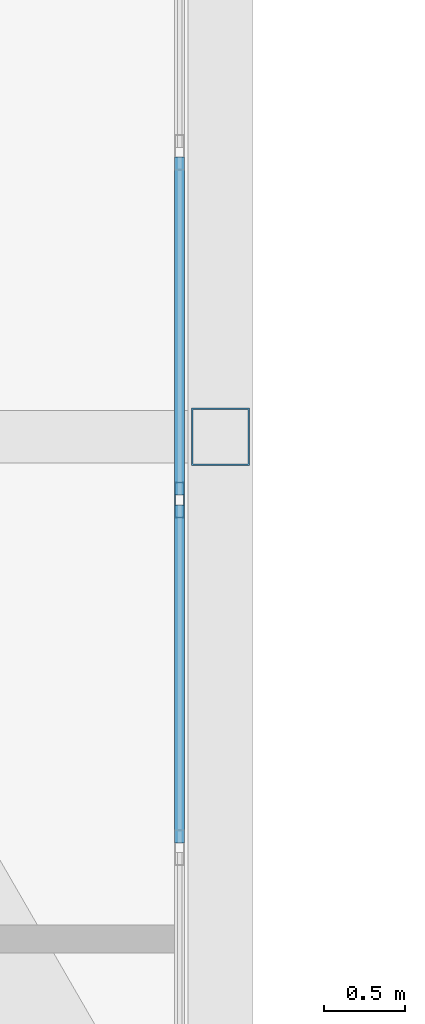
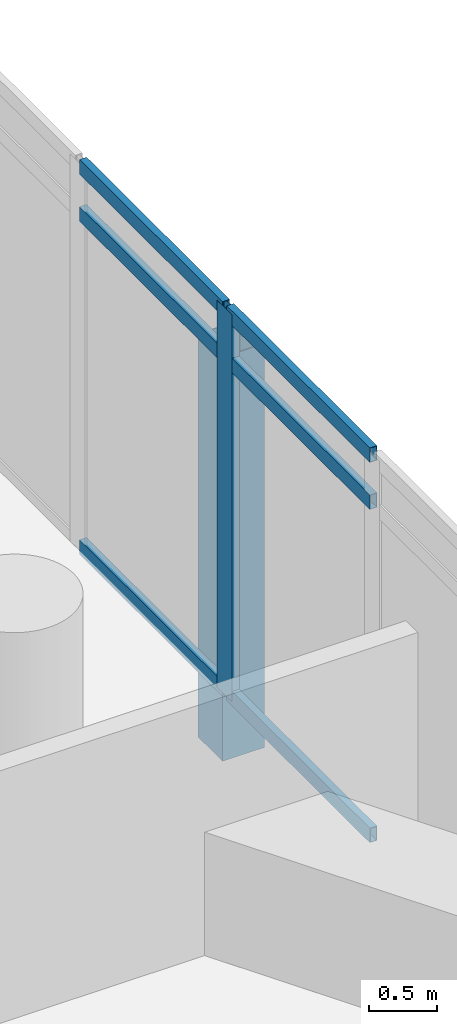
# One storey, part 26 of 38: 8 members, 1 element without a shape of its own.
"""IFC4 building model written with IfcOpenShell, lengths in metres."""

from ifc_helpers import new_model, si_unit, direction, frame, origin, origin_2d, place, context, subcontext, project, spatial, hollow_rectangle, extrude, material, material_profile, profile_set, type_object, element, aggregate, save


model = new_model("IFC4")

# Units and contexts
model_context = context("Model", 3, precision=1e-05, world=origin(), true_north=direction((0.0, 1.0)))
body_context = subcontext(model_context, "Body", "Model", "MODEL_VIEW")
ifc_project = project(units=[si_unit("LENGTHUNIT", "METRE"), si_unit("AREAUNIT", "SQUARE_METRE"), si_unit("VOLUMEUNIT", "CUBIC_METRE"), si_unit("PLANEANGLEUNIT", "RADIAN"), si_unit("MASSUNIT", "GRAM", prefix="KILO")], contexts=[model_context])

# Site, building, storey
site_placement = place(None, origin())
site = spatial("IfcSite", under=ifc_project, at=site_placement, CompositionType="ELEMENT")
building_placement = place(site_placement, origin())
building = spatial("IfcBuilding", under=site, at=building_placement, Name="Ostrander Bayou Hotel Tower", CompositionType="ELEMENT")
storey_placement = place(building_placement, frame((0.0, 0.0, 194.5)))
storey = spatial("IfcBuildingStorey", under=building, at=storey_placement, Name="L48", CompositionType="ELEMENT", Elevation=194.5)

# Curtain wall, members
ifc_material_1 = material(Name="Aluminium and clear glass", Category="aluminium")
curtain_wall_type = type_object("IfcCurtainWallType", Name="CW-BAR glazed wall", PredefinedType="NOTDEFINED", material=ifc_material_1)
curtain_wall_placement = place(storey_placement, origin())
curtain_wall = element("IfcCurtainWall", 1, at=curtain_wall_placement, inside=storey, type_object=curtain_wall_type, Name="CW-BAR L48:SB4N:W", PredefinedType="NOTDEFINED")
ifc_material_2 = material(Name="Aluminium", Category="aluminium")
ifc_material_profile_1 = material_profile(ifc_material_2, hollow_rectangle(XDim=0.06005859375, YDim=0.219970703125, WallThickness=0.00390625, at=origin_2d()))
ifc_profile_set_1 = profile_set([ifc_material_profile_1], Name="Aluminium")
member_type_1 = type_object("IfcMemberType", Name="CW-BR mullion 60 x 220 mm", PredefinedType="MULLION", material=ifc_profile_set_1)
member_1_placement = place(storey_placement, frame((11.857177734375, 19.3154296875, 0.0), z_axis=(0.0, 0.0, 1.0), x_axis=(-1.0, 0.0, 0.0)))
member_1 = element("IfcMember", 2, at=member_1_placement, type_object=member_type_1, Name="CW-BAR mullion 6", PredefinedType="MULLION", context=body_context, shape_type="SweptSolid", body=[
    extrude(hollow_rectangle(XDim=0.06005859375, YDim=0.219970703125, WallThickness=0.00390625, at=origin_2d()), origin(), (0.0, 0.0, 1.0), 3.449951171875),
])
ifc_material_3 = material(Name="Aluminium", Category="aluminium")
ifc_material_profile_2 = material_profile(ifc_material_3, hollow_rectangle(XDim=0.06005859375, YDim=0.1298828125, WallThickness=0.00390625, at=origin_2d()))
ifc_profile_set_2 = profile_set([ifc_material_profile_2], Name="Aluminium")
member_type_2 = type_object("IfcMemberType", Name="CW-BR transom 60 x 130 mm", PredefinedType="USERDEFINED", material=ifc_profile_set_2)
member_2_placement = place(storey_placement, frame((11.857177734375, 17.195068359375, 0.030029296875), z_axis=(0.0, 1.0, 0.0), x_axis=(-1.0, 0.0, 0.0)))
member_2 = element("IfcMember", 3, at=member_2_placement, type_object=member_type_2, Name="CW-BAR transom 5.1", ObjectType="TRANSOM", PredefinedType="USERDEFINED", context=body_context, shape_type="SweptSolid", body=[
    extrude(hollow_rectangle(XDim=0.06005859375, YDim=0.1298828125, WallThickness=0.00390625, at=origin_2d()), origin(), (0.0, 0.0, 1.0), 2.09033203125),
])
member_3_placement = place(storey_placement, frame((11.857177734375, 17.195068359375, 3.0), z_axis=(0.0, 1.0, 0.0), x_axis=(-1.0, 0.0, 0.0)))
member_3 = element("IfcMember", 4, at=member_3_placement, type_object=member_type_2, Name="CW-BAR transom 5.2", ObjectType="TRANSOM", PredefinedType="USERDEFINED", context=body_context, shape_type="SweptSolid", body=[
    extrude(hollow_rectangle(XDim=0.06005859375, YDim=0.1298828125, WallThickness=0.00390625, at=origin_2d()), origin(), (0.0, 0.0, 1.0), 2.09033203125),
])
member_4_placement = place(storey_placement, frame((11.857177734375, 17.195068359375, 3.419921875), z_axis=(0.0, 1.0, 0.0), x_axis=(-1.0, 0.0, 0.0)))
member_4 = element("IfcMember", 5, at=member_4_placement, type_object=member_type_2, Name="CW-BAR transom 5.3", ObjectType="TRANSOM", PredefinedType="USERDEFINED", context=body_context, shape_type="SweptSolid", body=[
    extrude(hollow_rectangle(XDim=0.06005859375, YDim=0.1298828125, WallThickness=0.00390625, at=origin_2d()), origin(), (0.0, 0.0, 1.0), 2.09033203125),
])
member_5_placement = place(storey_placement, frame((11.857177734375, 19.345458984375, 0.030029296875), z_axis=(0.0, 1.0, 0.0), x_axis=(-1.0, 0.0, 0.0)))
member_5 = element("IfcMember", 6, at=member_5_placement, type_object=member_type_2, Name="CW-BAR transom 6.1", ObjectType="TRANSOM", PredefinedType="USERDEFINED", context=body_context, shape_type="SweptSolid", body=[
    extrude(hollow_rectangle(XDim=0.06005859375, YDim=0.1298828125, WallThickness=0.00390625, at=origin_2d()), origin(), (0.0, 0.0, 1.0), 2.090087890625),
])
member_6_placement = place(storey_placement, frame((11.857177734375, 19.345458984375, 3.0), z_axis=(0.0, 1.0, 0.0), x_axis=(-1.0, 0.0, 0.0)))
member_6 = element("IfcMember", 7, at=member_6_placement, type_object=member_type_2, Name="CW-BAR transom 6.2", ObjectType="TRANSOM", PredefinedType="USERDEFINED", context=body_context, shape_type="SweptSolid", body=[
    extrude(hollow_rectangle(XDim=0.06005859375, YDim=0.1298828125, WallThickness=0.00390625, at=origin_2d()), origin(), (0.0, 0.0, 1.0), 2.090087890625),
])
member_7_placement = place(storey_placement, frame((11.857177734375, 19.345458984375, 3.419921875), z_axis=(0.0, 1.0, 0.0), x_axis=(-1.0, 0.0, 0.0)))
member_7 = element("IfcMember", 8, at=member_7_placement, type_object=member_type_2, Name="CW-BAR transom 6.3", ObjectType="TRANSOM", PredefinedType="USERDEFINED", context=body_context, shape_type="SweptSolid", body=[
    extrude(hollow_rectangle(XDim=0.06005859375, YDim=0.1298828125, WallThickness=0.00390625, at=origin_2d()), origin(), (0.0, 0.0, 1.0), 2.090087890625),
])
aggregate(curtain_wall, [member_1, member_2, member_3, member_4, member_5, member_6, member_7])

# Member
ifc_material_4 = material(Name="Steel ASTM A500 Gr C", Category="steel")
ifc_material_profile_3 = material_profile(ifc_material_4, hollow_rectangle(XDim=0.355712890625, YDim=0.355712890625, WallThickness=0.0087890625, at=origin_2d()))
ifc_profile_set_3 = profile_set([ifc_material_profile_3], Name="Steel ASTM A500 Gr C")
member_type_3 = type_object("IfcMemberType", Name="TH3 bar hanger HSS14x14x3/8", PredefinedType="POST", material=ifc_profile_set_3)
member_8_placement = place(storey_placement, frame((12.110107421875, 19.706787109375, -0.760986328125), z_axis=(0.0, 0.0, 1.0), x_axis=(1.0, 0.0, 0.0)))
element("IfcMember", 9, at=member_8_placement, inside=storey, type_object=member_type_3, Name="TH3 SB4WB H3-1", PredefinedType="POST", context=body_context, shape_type="SweptSolid", body=[
    extrude(hollow_rectangle(XDim=0.355712890625, YDim=0.355712890625, WallThickness=0.0087890625, at=origin_2d()), origin(), (0.0, 0.0, 1.0), 3.599853515625),
])

save(model, "model.ifc")
